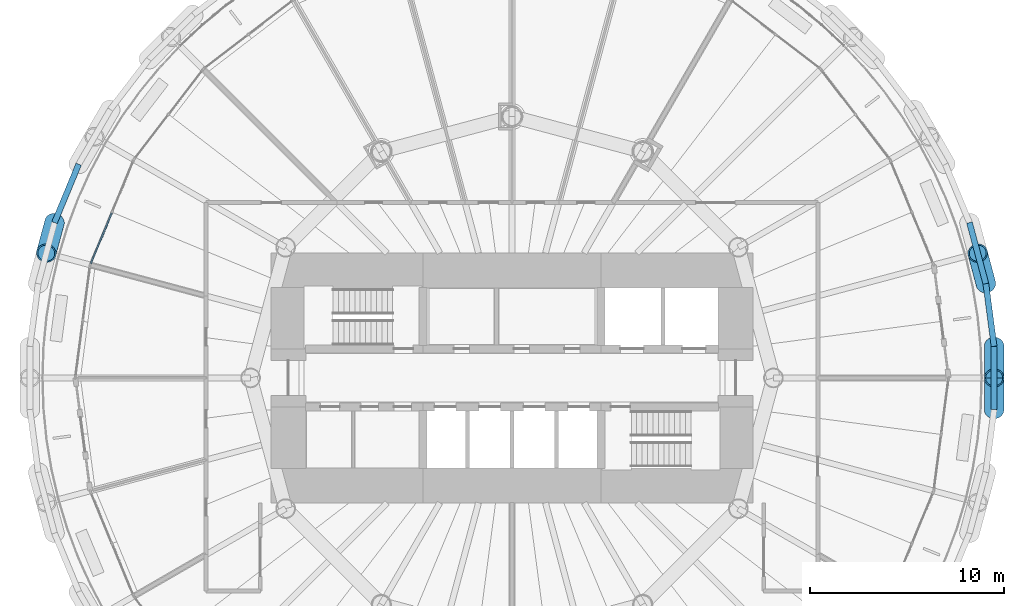
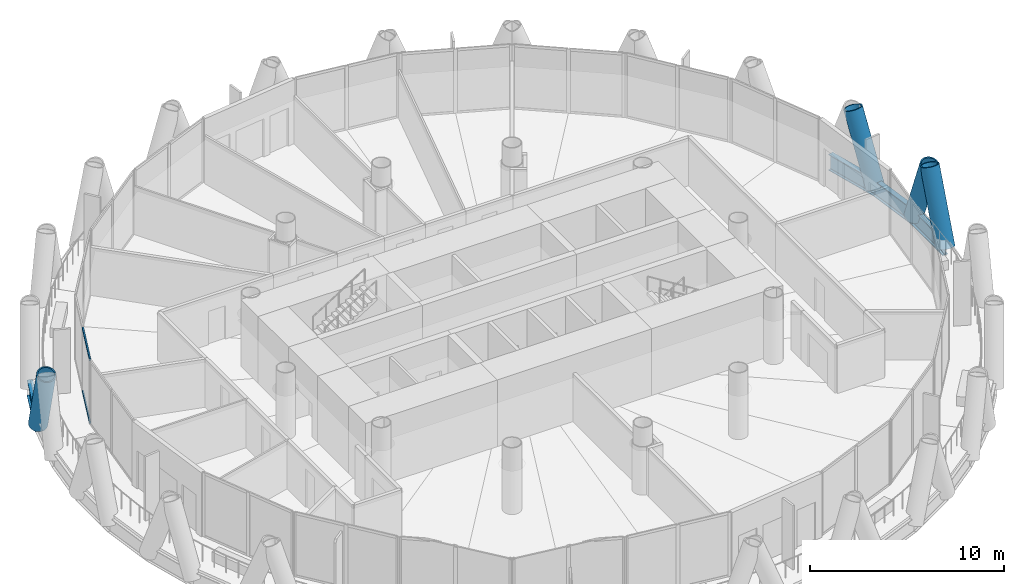
# One storey, part 5 of 16: 6 members, 4 beams, 1 element without a shape of its own.
"""IFC4 building model written with IfcOpenShell, lengths in metres."""

from ifc_helpers import new_model, si_unit, direction, frame, origin, origin_2d, place, context, subcontext, project, spatial, rectangle, hollow_circle, i_section, extrude, material, material_profile, profile_set, type_object, element, aggregate, save


model = new_model("IFC4")

# Units and contexts
model_context = context("Model", 3, precision=1e-05, world=origin(), true_north=direction((0.0, 1.0)))
body_context = subcontext(model_context, "Body", "Model", "MODEL_VIEW")
ifc_project = project(units=[si_unit("LENGTHUNIT", "METRE"), si_unit("AREAUNIT", "SQUARE_METRE"), si_unit("VOLUMEUNIT", "CUBIC_METRE"), si_unit("PLANEANGLEUNIT", "RADIAN"), si_unit("MASSUNIT", "GRAM", prefix="KILO")], contexts=[model_context])

# Site, building, storey
site_placement = place(None, origin())
site = spatial("IfcSite", under=ifc_project, at=site_placement, CompositionType="ELEMENT")
building_placement = place(site_placement, origin())
building = spatial("IfcBuilding", under=site, at=building_placement, Name="Qaws Media Tower", CompositionType="ELEMENT")
storey_placement = place(building_placement, frame((0.0, 0.0, 139.39990234375)))
storey = spatial("IfcBuildingStorey", under=building, at=storey_placement, Name="L31", CompositionType="ELEMENT", Elevation=139.39990234375)

# Curtain wall, members
ifc_material_1 = material(Name="Aluminium and clear glass", Category="aluminium")
curtain_wall_type = type_object("IfcCurtainWallType", Name="Unitised curtain wall CW-B", PredefinedType="NOTDEFINED", material=ifc_material_1)
curtain_wall_placement = place(storey_placement, origin())
curtain_wall = element("IfcCurtainWall", 1, at=curtain_wall_placement, inside=storey, type_object=curtain_wall_type, Name="CWB curtain wall L31-11", PredefinedType="NOTDEFINED")
ifc_material_2 = material(Name="Aluminium transom", Category="aluminium")
ifc_material_profile_1 = material_profile(ifc_material_2, rectangle(XDim=0.080078125, YDim=0.159912109375, at=origin_2d()), Name="80x160")
ifc_profile_set_1 = profile_set([ifc_material_profile_1], Name="Aluminium transom")
member_type_1 = type_object("IfcMemberType", Name="Curtain wall transom 80x160", PredefinedType="USERDEFINED", material=ifc_profile_set_1)
member_1_placement = place(storey_placement, frame((39.329345703125, 58.518798828125, 0.0400390625), z_axis=(-0.382649648969, -0.923893525329, 0.0), x_axis=(0.923893525329, -0.382649648969, 0.0)))
member_1 = element("IfcMember", 2, at=member_1_placement, type_object=member_type_1, Name="CWB transom 2.1", ObjectType="TRANSOM", PredefinedType="USERDEFINED", context=body_context, shape_type="SweptSolid", body=[
    extrude(rectangle(XDim=0.080078125, YDim=0.159912109375, at=origin_2d()), origin(), (0.0, 0.0, 1.0), 2.8232421875),
])
member_2_placement = place(storey_placement, frame((39.329345703125, 58.518798828125, 4.0), z_axis=(-0.382649648969, -0.923893525329, 0.0), x_axis=(0.923893525329, -0.382649648969, 0.0)))
member_2 = element("IfcMember", 3, at=member_2_placement, type_object=member_type_1, Name="CWB transom 2.2", ObjectType="TRANSOM", PredefinedType="USERDEFINED", context=body_context, shape_type="SweptSolid", body=[
    extrude(rectangle(XDim=0.080078125, YDim=0.159912109375, at=origin_2d()), origin(), (0.0, 0.0, 1.0), 2.8232421875),
])
aggregate(curtain_wall, [member_1, member_2])

# Members
ifc_material_3 = material(Name="Steel S460", Category="steel")
ifc_material_profile_2 = material_profile(ifc_material_3, hollow_circle(Radius=0.508056640625, WallThickness=0.070068359375, at=origin_2d()), Name="CHS 1016x70")
ifc_profile_set_2 = profile_set([ifc_material_profile_2], Name="Steel S460")
member_type_2 = type_object("IfcMemberType", Name="Diagrid member CHS 1016x70", PredefinedType="USERDEFINED", material=ifc_profile_set_2)
for number, where, z_axis, x_axis, name in (
    (4, (84.470703125, 54.867431640625, -0.663818359375), (-0.09303221804, 0.350022206489, 0.93211021954), (-0.966445675861, -0.256871087531, 0.0), "DG3 diagrid L31 A01"),
    (5, (84.896484375, 51.6318359375, -0.663818359375), (0.000758566107, -0.3621611329, 0.932115195882), (0.999997806429, 0.002094549565, 0.0), "DG3 diagrid L31 B01"),
    (6, (36.3740234375, 58.02001953125, -0.663818359375), (-0.094441035897, -0.349643146667, 0.932110809254), (0.965403100068, -0.260762064686, 0.0), "DG3 diagrid L31 A11"),
    (7, (84.896484375, 48.3681640625, -0.663818359375), (0.000758566107, 0.3621611329, 0.932115195882), (-0.999997806429, 0.002094549565, 0.0), "DG3 diagrid L31 A24"),
):
    element("IfcMember", number, at=place(storey_placement, frame(where, z_axis=z_axis, x_axis=x_axis)), inside=storey, type_object=member_type_2, Name=name, ObjectType="DIAGRID", PredefinedType="USERDEFINED", context=body_context, shape_type="SweptSolid", body=[
        extrude(hollow_circle(Radius=0.508056640625, WallThickness=0.070068359375, at=origin_2d()), origin(), (0.0, 0.0, 1.0), 4.505859375),
    ])

# Beams
ifc_material_4 = material(Name="Steel S460", Category="steel")
ifc_material_profile_3 = material_profile(ifc_material_4, i_section(OverallWidth=0.302001953125, OverallDepth=1.008056640625, WebThickness=0.02099609375, FlangeThickness=0.0400390625, FilletRadius=0.030029296875, at=origin_2d()), Name="HE 1000 M")
ifc_profile_set_3 = profile_set([ifc_material_profile_3], Name="Steel S460")
beam_type = type_object("IfcBeamType", Name="Edge ring beam HE 1000 M", PredefinedType="BEAM", material=ifc_profile_set_3)
beam_1_placement = place(storey_placement, frame((84.896484375, 51.6318359375, -0.663818359375), z_axis=(-0.130468058762, 0.991452513055, 0.0), x_axis=(-0.991452513055, -0.130468058762, 0.0)))
element("IfcBeam", 8, at=beam_1_placement, inside=storey, type_object=beam_type, Name="RB3 edge ring beam L31-01", PredefinedType="BEAM", context=body_context, shape_type="SweptSolid", body=[
    extrude(i_section(OverallWidth=0.302001953125, OverallDepth=1.008056640625, WebThickness=0.02099609375, FlangeThickness=0.0400390625, FilletRadius=0.030029296875, at=origin_2d()), origin(), (0.0, 0.0, 1.0), 3.263427734375),
])
beam_2_placement = place(storey_placement, frame((84.470703125, 54.867431640625, -0.663818359375), z_axis=(-0.258817096385, 0.965926348444, 0.0), x_axis=(-0.965926348444, -0.258817096385, 0.0)))
element("IfcBeam", 9, at=beam_2_placement, inside=storey, type_object=beam_type, Name="RB3 edge ring beam L31-02", PredefinedType="BEAM", context=body_context, shape_type="SweptSolid", body=[
    extrude(i_section(OverallWidth=0.302001953125, OverallDepth=1.008056640625, WebThickness=0.02099609375, FlangeThickness=0.0400390625, FilletRadius=0.030029296875, at=origin_2d()), origin(), (0.0, 0.0, 1.0), 3.263916015625),
])
for number, where, z_axis, x_axis, name in (
    (10, (37.623046875, 61.03515625, -0.663818359375), (-0.382712963939, -0.92386729958, 0.0), (0.92386729958, -0.382712963939, 0.0), "RB3 edge ring beam L31-21"),
    (11, (84.896484375, 48.3681640625, -0.663818359375), (0.0, 1.0, 0.0), (-1.0, 0.0, 0.0), "RB3 edge ring beam L31-48"),
):
    element("IfcBeam", number, at=place(storey_placement, frame(where, z_axis=z_axis, x_axis=x_axis)), inside=storey, type_object=beam_type, Name=name, PredefinedType="BEAM", context=body_context, shape_type="SweptSolid", body=[
        extrude(i_section(OverallWidth=0.302001953125, OverallDepth=1.008056640625, WebThickness=0.02099609375, FlangeThickness=0.0400390625, FilletRadius=0.030029296875, at=origin_2d()), origin(), (0.0, 0.0, 1.0), 3.263671875),
    ])

save(model, "model.ifc")
